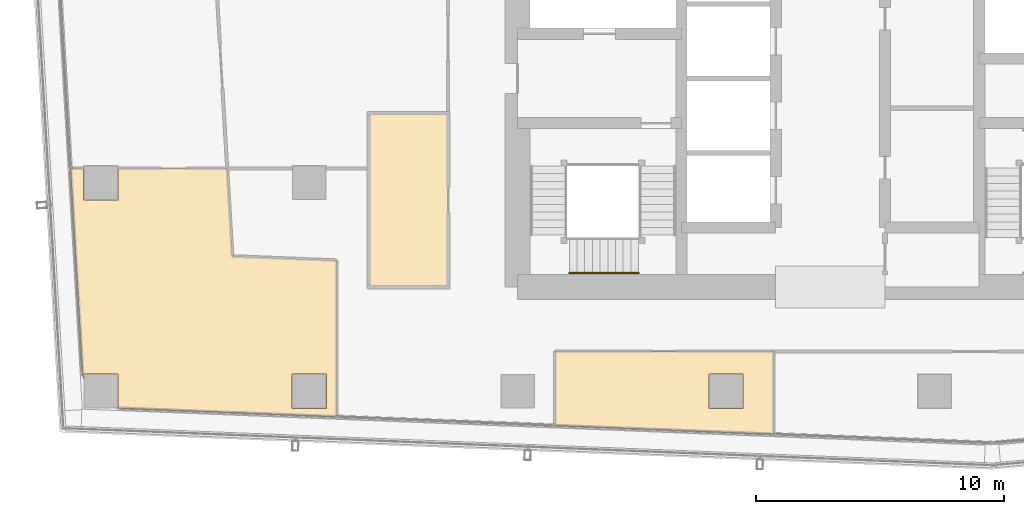
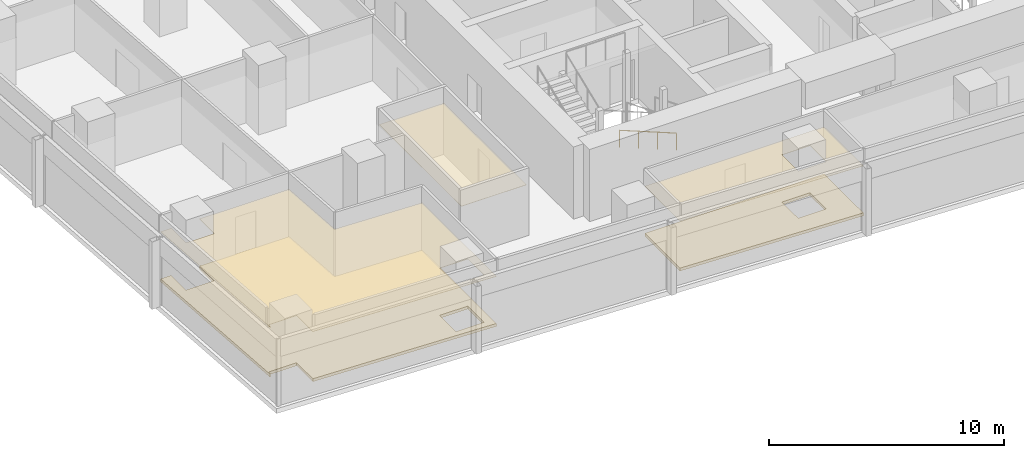
# One storey, part 31 of 39: 5 coverings, 1 railing.
"""IFC4 building model written with IfcOpenShell, lengths in metres."""

from ifc_helpers import new_model, si_unit, direction, frame, origin, origin_2d, place, context, subcontext, project, spatial, polyline, circle, outline, extrude, material, layer, layer_set, type_object, element, save


model = new_model("IFC4")

# Units and contexts
model_context = context("Model", 3, precision=1e-05, world=origin(), true_north=direction((0.0, 1.0)))
body_context = subcontext(model_context, "Body", "Model", "MODEL_VIEW")
ifc_project = project(units=[si_unit("LENGTHUNIT", "METRE"), si_unit("AREAUNIT", "SQUARE_METRE"), si_unit("VOLUMEUNIT", "CUBIC_METRE"), si_unit("PLANEANGLEUNIT", "RADIAN"), si_unit("MASSUNIT", "GRAM", prefix="KILO")], contexts=[model_context])

# Site, building, storey
site_placement = place(None, origin())
site = spatial("IfcSite", under=ifc_project, at=site_placement, CompositionType="ELEMENT")
building_placement = place(site_placement, origin())
building = spatial("IfcBuilding", under=site, at=building_placement, Name="Rekha Terrace Tower", CompositionType="ELEMENT")
storey_placement = place(building_placement, frame((0.0, 0.0, 217.699951171875)))
storey = spatial("IfcBuildingStorey", under=building, at=storey_placement, Name="L55", CompositionType="ELEMENT", Elevation=217.699951171875)

# Coverings
ifc_material_1 = material(Name="Mineral fibre tile in exposed grid", Category="finish")
ifc_layer_1 = layer(ifc_material_1, 0.02001953125)
ifc_layer_set_1 = layer_set([ifc_layer_1], Name="Mineral fibre tile in exposed grid")
covering_type_1 = type_object("IfcCoveringType", Name="CL1 600x1200 office grid ceiling", PredefinedType="CEILING", material=ifc_layer_set_1)
covering_1_placement = place(storey_placement, frame((0.0, 0.0, 2.580078125)))
element("IfcCovering", 1, at=covering_1_placement, inside=storey, type_object=covering_type_1, Name="Ceiling L55-11", PredefinedType="CEILING", context=body_context, shape_type="SweptSolid", body=[
    extrude(outline(polyline([(7.7099609375, 24.510009765625), (7.7099609375, 25.76611328125), (7.18701171875, 25.76611328125), (7.68408203125, 17.319091796875), (7.7099609375, 17.320068359375), (7.7099609375, 17.489990234375), (9.090087890625, 17.489990234375), (9.090087890625, 16.117919921875), (17.89892578125, 15.76611328125), (17.89892578125, 22.071044921875), (13.7060546875, 22.238037109375), (13.498046875, 25.76611328125), (9.090087890625, 25.76611328125), (9.090087890625, 24.510009765625), (7.7099609375, 24.510009765625)]), holes=[polyline([(17.489990234375, 17.489990234375), (17.489990234375, 16.110107421875), (16.110107421875, 16.110107421875), (16.110107421875, 17.489990234375), (17.489990234375, 17.489990234375)])]), origin(), (0.0, 0.0, 1.0), 0.02001953125),
])
covering_2_placement = place(storey_placement, frame((0.0, 0.0, 2.580078125)))
element("IfcCovering", 2, at=covering_2_placement, inside=storey, type_object=covering_type_1, Name="Ceiling L55-12", PredefinedType="CEILING", context=body_context, shape_type="SweptSolid", body=[
    extrude(outline(polyline([(35.507080078125, 15.06298828125), (35.507080078125, 18.39990234375), (26.7041015625, 18.39990234375), (26.7041015625, 15.4150390625), (35.507080078125, 15.06298828125)]), holes=[polyline([(34.2900390625, 16.110107421875), (32.909912109375, 16.110107421875), (32.909912109375, 17.489990234375), (34.2900390625, 17.489990234375), (34.2900390625, 16.110107421875)])]), origin(), (0.0, 0.0, 1.0), 0.02001953125),
])
ifc_material_2 = material(Name="Fibre cement board", Category="finish")
ifc_layer_2 = layer(ifc_material_2, 0.014892578125)
ifc_layer_set_2 = layer_set([ifc_layer_2], Name="Fibre cement board")
covering_type_2 = type_object("IfcCoveringType", Name="CL2 moisture-resistant board ceiling", PredefinedType="CEILING", material=ifc_layer_set_2)
covering_3_placement = place(storey_placement, frame((0.0, 0.0, 2.5849609375)))
element("IfcCovering", 3, at=covering_3_placement, inside=storey, type_object=covering_type_2, Name="Ceiling L55-WCM", PredefinedType="CEILING", context=body_context, shape_type="SweptSolid", body=[
    extrude(outline(polyline([(22.39990234375, 28.0), (19.199951171875, 28.0), (19.199951171875, 21.0), (22.39990234375, 21.0), (22.39990234375, 28.0)])), origin(), (0.0, 0.0, 1.0), 0.01513671875),
])

# Railing
ifc_material_3 = material(Name="Stainless steel tube", Category="steel")
railing_type = type_object("IfcRailingType", Name="HR1 900 stair handrail", PredefinedType="HANDRAIL", material=ifc_material_3)
railing_placement = place(storey_placement, frame((30.074951171875, 21.56005859375, 1.375)))
element("IfcRailing", 4, at=railing_placement, inside=storey, type_object=railing_type, Name="Handrail ST1 L55 flight 2", PredefinedType="HANDRAIL", context=body_context, shape_type="SweptSolid", body=[
    extrude(circle(Radius=0.02392578125, at=origin_2d()), frame((0.0, 0.0, 0.8759765625), z_axis=(-0.927443287984, 0.0, 0.373963831907), x_axis=(0.0, -1.0, 0.0)), (0.0, 0.0, 1.0), 3.00830078125),
    extrude(circle(Radius=0.02099609375, at=origin_2d()), origin(), (0.0, 0.0, 1.0), 0.851806640625),
    extrude(circle(Radius=0.02099609375, at=origin_2d()), frame((-0.929931640625, 0.0, 0.375)), (0.0, 0.0, 1.0), 0.851806640625),
    extrude(circle(Radius=0.02099609375, at=origin_2d()), frame((-1.860107421875, 0.0, 0.75)), (0.0, 0.0, 1.0), 0.851806640625),
    extrude(circle(Radius=0.02099609375, at=origin_2d()), frame((-2.7900390625, 0.0, 1.125)), (0.0, 0.0, 1.0), 0.851806640625),
])

# Coverings
ifc_material_4 = material(Name="Calcium sulphate panels on steel pedestals", Category="steel")
ifc_layer_3 = layer(ifc_material_4, 0.14990234375)
ifc_layer_set_3 = layer_set([ifc_layer_3], Name="Calcium sulphate panels on steel pedestals")
covering_type_3 = type_object("IfcCoveringType", Name="RF1 150 raised access floor", PredefinedType="FLOORING", material=ifc_layer_set_3)
covering_4_placement = place(storey_placement, origin())
element("IfcCovering", 5, at=covering_4_placement, inside=storey, type_object=covering_type_3, Name="Raised floor L55-11", PredefinedType="FLOORING", context=body_context, shape_type="SweptSolid", body=[
    extrude(outline(polyline([(7.7099609375, 24.510009765625), (7.7099609375, 25.76611328125), (7.18701171875, 25.76611328125), (7.68408203125, 17.319091796875), (7.7099609375, 17.320068359375), (7.7099609375, 17.489990234375), (9.090087890625, 17.489990234375), (9.090087890625, 16.117919921875), (17.89892578125, 15.76611328125), (17.89892578125, 22.071044921875), (13.7060546875, 22.238037109375), (13.498046875, 25.76611328125), (9.090087890625, 25.76611328125), (9.090087890625, 24.510009765625), (7.7099609375, 24.510009765625)]), holes=[polyline([(17.489990234375, 17.489990234375), (17.489990234375, 16.110107421875), (16.110107421875, 16.110107421875), (16.110107421875, 17.489990234375), (17.489990234375, 17.489990234375)])]), origin(), (0.0, 0.0, 1.0), 0.150146484375),
])
covering_5_placement = place(storey_placement, origin())
element("IfcCovering", 6, at=covering_5_placement, inside=storey, type_object=covering_type_3, Name="Raised floor L55-12", PredefinedType="FLOORING", context=body_context, shape_type="SweptSolid", body=[
    extrude(outline(polyline([(35.507080078125, 15.06298828125), (35.507080078125, 18.39990234375), (26.7041015625, 18.39990234375), (26.7041015625, 15.4150390625), (35.507080078125, 15.06298828125)]), holes=[polyline([(34.2900390625, 16.110107421875), (32.909912109375, 16.110107421875), (32.909912109375, 17.489990234375), (34.2900390625, 17.489990234375), (34.2900390625, 16.110107421875)])]), origin(), (0.0, 0.0, 1.0), 0.150146484375),
])

save(model, "model.ifc")
